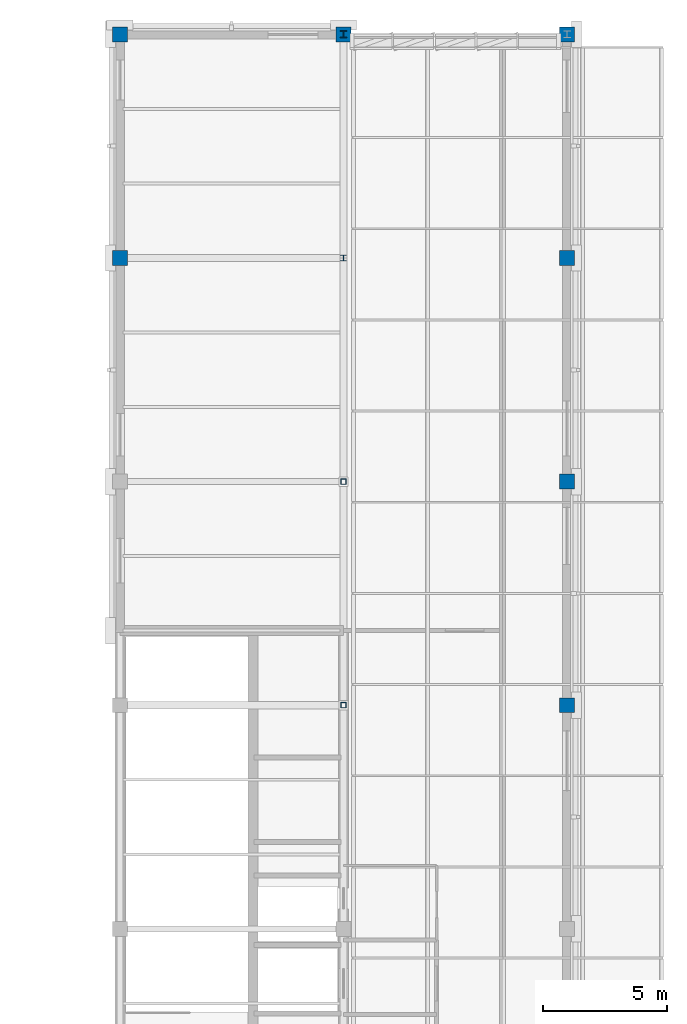
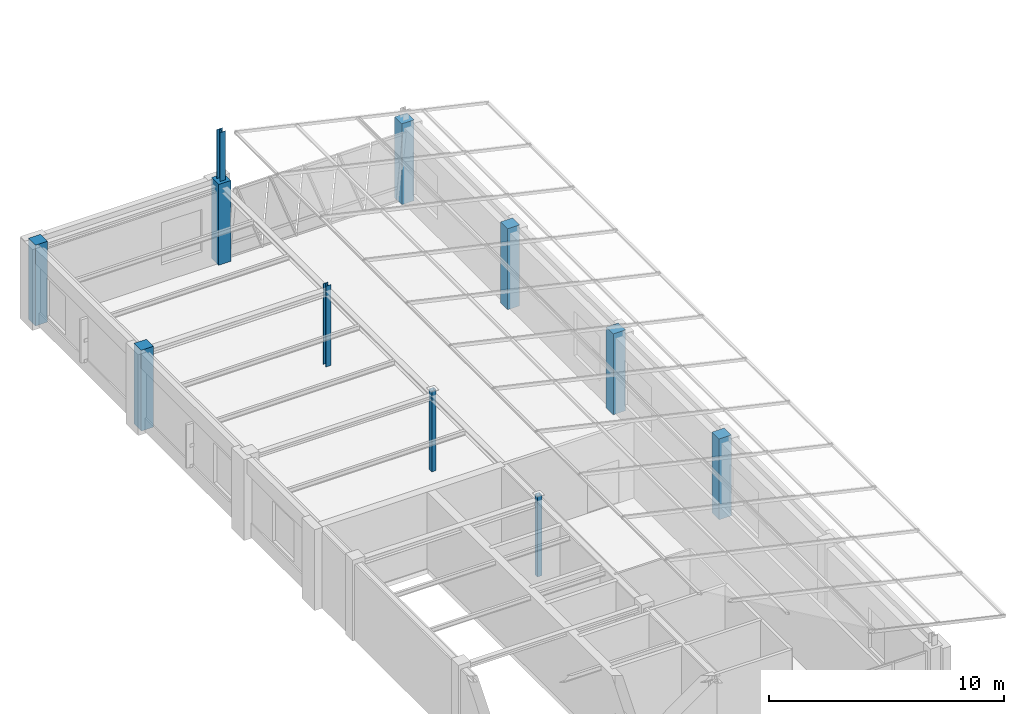
# One storey, part 7 of 97: 11 columns.
"""IFC4 building model written with IfcOpenShell, lengths in metres."""

import ifcopenshell
import ifcopenshell.guid

model = None  # the IFC model being written
_history = None  # IfcOwnerHistory: only IFC2X3 demands one
_inside = {}  # id of a spatial element -> (the spatial element, [elements in it])
_under = {}  # id of a project, library or spatial element -> (it, [spatial elements below it])
_declared = {}  # id of a project -> (the project, [libraries it declares])
_typed = {}  # id of a type object -> (the type object, [elements of that type])
_made_of = {}  # id of a material, layer set ... -> (it, [elements and type objects made of it])


def new_model(schema):
    """Start an empty IFC model of exactly this schema.

    Asked for "IFC4X3", IfcOpenShell would pick the latest addendum, in which some entities
    have other attributes; the version numbers below select the first issue.
    IFC2X3 requires an IfcOwnerHistory on every rooted entity: one is made here for all.
    """
    global model, _history
    if schema == "IFC4X3":
        model = ifcopenshell.file(schema_version=(4, 3, 0, 0))
    else:
        model = ifcopenshell.file(schema=schema)
    _inside.clear()
    _under.clear()
    _declared.clear()
    _typed.clear()
    _made_of.clear()
    _history = None
    if model.schema == "IFC2X3":
        org = make("IfcOrganization", Name="unknown")
        user = make(
            "IfcPersonAndOrganization",
            ThePerson=make("IfcPerson", FamilyName="unknown"),
            TheOrganization=org,
        )
        app = make(
            "IfcApplication",
            ApplicationDeveloper=org,
            Version="unknown",
            ApplicationFullName="unknown",
            ApplicationIdentifier="unknown",
        )
        _history = make(
            "IfcOwnerHistory",
            OwningUser=user,
            OwningApplication=app,
            ChangeAction="ADDED",
            CreationDate=0,
        )
    return model


def make(cls, **values):
    """One entity of the class cls with the attributes given. An attribute that is None is left unset."""
    return model.create_entity(
        cls, **{name: value for name, value in values.items() if value is not None}
    )


def rooted(cls, **values):
    """An entity with a GlobalId (a new one), such as an element, a storey or a relation."""
    return make(cls, GlobalId=ifcopenshell.guid.new(), OwnerHistory=_history, **values)


def si_unit(unit_type, name, prefix=None):
    """IfcSIUnit, for example si_unit("LENGTHUNIT", "METRE", prefix="MILLI")."""
    return make("IfcSIUnit", UnitType=unit_type, Prefix=prefix, Name=name)


def assignment(units):
    """IfcUnitAssignment: the units of a project."""
    return None if units is None else make("IfcUnitAssignment", Units=units)


def point(xyz):
    """IfcCartesianPoint."""
    return None if xyz is None else make("IfcCartesianPoint", Coordinates=xyz)


def direction(xyz):
    """IfcDirection."""
    return None if xyz is None else make("IfcDirection", DirectionRatios=xyz)


def frame(location, z_axis=None, x_axis=None):
    """IfcAxis2Placement3D, a coordinate frame: its origin and axes. An axis left out is left unset."""
    return make(
        "IfcAxis2Placement3D",
        Location=point(location),
        Axis=direction(z_axis),
        RefDirection=direction(x_axis),
    )


def frame_2d(location, x_axis=None):
    """IfcAxis2Placement2D, a coordinate frame in the plane: its origin and x axis."""
    return make(
        "IfcAxis2Placement2D", Location=point(location), RefDirection=direction(x_axis)
    )


def origin():
    """The frame at (0, 0, 0) with its axes left unset."""
    return frame((0.0, 0.0, 0.0))


def origin_2d():
    """The frame at (0, 0) in the plane with its x axis left unset."""
    return frame_2d((0.0, 0.0))


def place(relative_to, where):
    """IfcLocalPlacement: puts the frame where relative to a parent placement (None: the world)."""
    return make(
        "IfcLocalPlacement", PlacementRelTo=relative_to, RelativePlacement=where
    )


def context(
    kind, dimensions, precision=None, world=None, true_north=None, identifier=None
):
    """IfcGeometricRepresentationContext, for example the 3D "Model" context."""
    return make(
        "IfcGeometricRepresentationContext",
        ContextIdentifier=identifier,
        ContextType=kind,
        CoordinateSpaceDimension=dimensions,
        Precision=precision,
        WorldCoordinateSystem=world,
        TrueNorth=true_north,
    )


def subcontext(parent, identifier, kind, view, scale=None):
    """IfcGeometricRepresentationSubContext, for example "Body" below "Model"."""
    return make(
        "IfcGeometricRepresentationSubContext",
        ContextIdentifier=identifier,
        ContextType=kind,
        ParentContext=parent,
        TargetScale=scale,
        TargetView=view,
    )


def project(units=None, contexts=None):
    """IfcProject with its units and contexts."""
    return rooted(
        "IfcProject",
        Name="project",
        RepresentationContexts=contexts,
        UnitsInContext=assignment(units),
    )


def spatial(cls, under=None, at=None, **own):
    """A site, building, storey or space (cls), placed at a placement, below another one or the project."""
    s = rooted(cls, ObjectPlacement=at, **own)
    if under is not None:
        _under.setdefault(under.id(), (under, []))[1].append(s)
    return s


def profile(cls, at=None, kind="AREA", **sizes):
    """A parametric profile (cls). Its sizes go by their IFC names, for example OverallWidth=200.0."""
    return make(cls, ProfileType=kind, Position=at, **sizes)


def rectangle(**sizes):
    """IfcRectangleProfileDef."""
    return profile("IfcRectangleProfileDef", **sizes)


def hollow_rectangle(**sizes):
    """IfcRectangleHollowProfileDef."""
    return profile("IfcRectangleHollowProfileDef", **sizes)


def i_section(**sizes):
    """IfcIShapeProfileDef."""
    return profile("IfcIShapeProfileDef", **sizes)


def extrude(swept, where, along, depth):
    """IfcExtrudedAreaSolid: the profile swept, set in the frame where, extruded along a direction by depth."""
    return make(
        "IfcExtrudedAreaSolid",
        SweptArea=swept,
        Position=where,
        ExtrudedDirection=direction(along),
        Depth=depth,
    )


def shape(context_of_items, identifier, shape_type, items):
    """IfcShapeRepresentation: the items that make up one representation, for example the "Body"."""
    return make(
        "IfcShapeRepresentation",
        ContextOfItems=context_of_items,
        RepresentationIdentifier=identifier,
        RepresentationType=shape_type,
        Items=items,
    )


def material(Name=None, Category=None):
    """IfcMaterial."""
    return make("IfcMaterial", Name=Name, Category=Category)


def material_profile(
    of_material, cross_section, Name=None, Category=None, Priority=None
):
    """IfcMaterialProfile: a cross section and its material."""
    return make(
        "IfcMaterialProfile",
        Name=Name,
        Material=of_material,
        Profile=cross_section,
        Priority=Priority,
        Category=Category,
    )


def profile_set(profiles, Name=None, composite=None):
    """IfcMaterialProfileSet."""
    return make(
        "IfcMaterialProfileSet",
        Name=Name,
        MaterialProfiles=profiles,
        CompositeProfile=composite,
    )


def made_of(thing, what):
    """Note that an element or type object is made of a material, layer set ...; save() writes the relation."""
    if what is not None:
        _made_of.setdefault(what.id(), (what, []))[1].append(thing)
    return thing


def type_object(cls, material=None, **own):
    """A type object (cls), such as IfcWallType, which elements share."""
    return made_of(rooted(cls, **own), material)


def element(
    cls,
    number,
    at=None,
    inside=None,
    cuts=None,
    type_object=None,
    material=None,
    context=None,
    identifier="Body",
    shape_type=None,
    held_by="IfcProductDefinitionShape",
    body=None,
    shapes=None,
    **own,
):
    """One element of the class cls, such as IfcWall. Its Tag is "e" and its number.

    at: its placement. inside: the storey or other place that contains it. cuts: it is an
    opening in that element (IfcRelVoidsElement). A single representation is given by context,
    identifier, shape_type and body (its items); several are given by shapes. held_by: the class
    of the entity that holds the representations. save() writes the other relations.
    """
    e = rooted(cls, Tag="e%d" % number, ObjectPlacement=at, **own)
    if body is not None:
        shapes = [shape(context, identifier, shape_type, body)]
    if shapes is not None:
        e.Representation = make(held_by, Representations=shapes)
    if inside is not None:
        _inside.setdefault(inside.id(), (inside, []))[1].append(e)
    if cuts is not None:
        rooted(
            "IfcRelVoidsElement", RelatingBuildingElement=cuts, RelatedOpeningElement=e
        )
    if type_object is not None:
        _typed.setdefault(type_object.id(), (type_object, []))[1].append(e)
    return made_of(e, material)


def aggregate(whole, parts):
    """IfcRelAggregates: a whole, such as a stair, and the parts it consists of."""
    return rooted("IfcRelAggregates", RelatingObject=whole, RelatedObjects=parts)


def save(model, path):
    """Write the relations noted so far, then the file.

    IfcRelAggregates (storeys below a building ...), IfcRelContainedInSpatialStructure (elements
    in a storey), IfcRelDefinesByType, IfcRelAssociatesMaterial and IfcRelDeclares: one each for
    every whole, place, type object, material and project.
    """
    for whole, parts in _under.values():
        aggregate(whole, parts)
    for where, things in _inside.values():
        rooted(
            "IfcRelContainedInSpatialStructure",
            RelatedElements=things,
            RelatingStructure=where,
        )
    for kind, things in _typed.values():
        rooted("IfcRelDefinesByType", RelatedObjects=things, RelatingType=kind)
    for what, things in _made_of.values():
        rooted("IfcRelAssociatesMaterial", RelatedObjects=things, RelatingMaterial=what)
    for by, libraries in _declared.values():
        rooted("IfcRelDeclares", RelatingContext=by, RelatedDefinitions=libraries)
    model.write(path)


model = new_model("IFC4")

# Units and contexts
model_context = context("Model", 3, precision=1e-05, world=origin(), true_north=direction((0.0, 1.0)))
body_context = subcontext(model_context, "Body", "Model", "MODEL_VIEW")
ifc_project = project(units=[si_unit("LENGTHUNIT", "METRE"), si_unit("AREAUNIT", "SQUARE_METRE"), si_unit("VOLUMEUNIT", "CUBIC_METRE"), si_unit("PLANEANGLEUNIT", "RADIAN"), si_unit("MASSUNIT", "GRAM", prefix="KILO")], contexts=[model_context])

# Site, building, storey
site_placement = place(None, origin())
site = spatial("IfcSite", under=ifc_project, at=site_placement, CompositionType="ELEMENT")
building_placement = place(site_placement, origin())
building = spatial("IfcBuilding", under=site, at=building_placement, Name="Lykobir Media Centre", CompositionType="ELEMENT")
storey_placement = place(building_placement, frame((0.0, 0.0, 23.39990234375)))
storey = spatial("IfcBuildingStorey", under=building, at=storey_placement, Name="L05", CompositionType="ELEMENT", Elevation=23.39990234375)

# Columns
ifc_material_1 = material(Name="Concrete C40/50", Category="concrete")
ifc_material_profile_1 = material_profile(ifc_material_1, rectangle(XDim=0.60009765625, YDim=0.60009765625, at=origin_2d()), Name="RC 600x600")
ifc_profile_set_1 = profile_set([ifc_material_profile_1], Name="Concrete C40/50")
column_type_1 = type_object("IfcColumnType", Name="RC-C600", PredefinedType="COLUMN", material=ifc_profile_set_1)
for number, where, z_axis, x_axis, name in (
    (1, (27.0, 99.0, 0.0), (0.0, 0.0, 1.0), (1.0, 0.0, 0.0), "Column COL-L05-0270-0990"),
    (2, (45.0, 81.0, 0.0), (0.0, 0.0, 1.0), (1.0, 0.0, 0.0), "Column COL-L05-0450-0810"),
    (3, (45.0, 90.0, 0.0), (0.0, 0.0, 1.0), (1.0, 0.0, 0.0), "Column COL-L05-0450-0900"),
    (4, (45.0, 99.0, 0.0), (0.0, 0.0, 1.0), (1.0, 0.0, 0.0), "Column COL-L05-0450-0990"),
):
    element("IfcColumn", number, at=place(storey_placement, frame(where, z_axis=z_axis, x_axis=x_axis)), inside=storey, type_object=column_type_1, Name=name, PredefinedType="COLUMN", context=body_context, shape_type="SweptSolid", body=[
        extrude(rectangle(XDim=0.60009765625, YDim=0.60009765625, at=origin_2d()), origin(), (0.0, 0.0, 1.0), 4.2001953125),
    ])
ifc_material_profile_2 = material_profile(ifc_material_1, rectangle(XDim=0.60009765625, YDim=0.60009765625, at=origin_2d()), Name="RC 600x600")
ifc_profile_set_2 = profile_set([ifc_material_profile_2], Name="Concrete C40/50")
column_type_2 = type_object("IfcColumnType", Name="RC-C600-E", PredefinedType="COLUMN", material=ifc_profile_set_2)
for number, where, z_axis, x_axis, name in (
    (5, (27.0, 108.0, 0.0), (0.0, 0.0, 1.0), (1.0, 0.0, 0.0), "Column COL-L05-0270-1080"),
    (6, (36.0, 108.0, 0.0), (0.0, 0.0, 1.0), (1.0, 0.0, 0.0), "Column COL-L05-0360-1080"),
    (7, (45.0, 108.0, 0.0), (0.0, 0.0, 1.0), (1.0, 0.0, 0.0), "Column COL-L05-0450-1080"),
):
    element("IfcColumn", number, at=place(storey_placement, frame(where, z_axis=z_axis, x_axis=x_axis)), inside=storey, type_object=column_type_2, Name=name, PredefinedType="COLUMN", context=body_context, shape_type="SweptSolid", body=[
        extrude(rectangle(XDim=0.60009765625, YDim=0.60009765625, at=origin_2d()), origin(), (0.0, 0.0, 1.0), 4.2001953125),
    ])
ifc_material_2 = material(Name="Steel S355", Category="steel")
ifc_material_profile_3 = material_profile(ifc_material_2, i_section(OverallWidth=0.239990234375, OverallDepth=0.239990234375, WebThickness=0.010009765625, FlangeThickness=0.01708984375, at=origin_2d()), Name="HEB 240")
ifc_profile_set_3 = profile_set([ifc_material_profile_3], Name="Steel S355")
column_type_3 = type_object("IfcColumnType", Name="SC-HEB240", PredefinedType="COLUMN", material=ifc_profile_set_3)
column_1_placement = place(storey_placement, frame((36.0, 99.0, 0.0), z_axis=(0.0, 0.0, 1.0), x_axis=(1.0, 0.0, 0.0)))
element("IfcColumn", 8, at=column_1_placement, inside=storey, type_object=column_type_3, Name="Column COL-L05-0360-0990", PredefinedType="COLUMN", context=body_context, shape_type="SweptSolid", body=[
    extrude(i_section(OverallWidth=0.239990234375, OverallDepth=0.239990234375, WebThickness=0.010009765625, FlangeThickness=0.01708984375, at=origin_2d()), origin(), (0.0, 0.0, 1.0), 4.2001953125),
])
ifc_material_profile_4 = material_profile(ifc_material_2, i_section(OverallWidth=0.280029296875, OverallDepth=0.280029296875, WebThickness=0.010498046875, FlangeThickness=0.01806640625, at=origin_2d()), Name="HEB 280")
ifc_profile_set_4 = profile_set([ifc_material_profile_4], Name="Steel S355")
column_type_4 = type_object("IfcColumnType", Name="SC-HEB280-E", PredefinedType="COLUMN", material=ifc_profile_set_4)
column_2_placement = place(storey_placement, frame((36.0, 108.0, 4.2001953125), z_axis=(0.0, 0.0, 1.0), x_axis=(1.0, 0.0, 0.0)))
element("IfcColumn", 9, at=column_2_placement, inside=storey, type_object=column_type_4, Name="V6 roof portal post 36-108", PredefinedType="COLUMN", context=body_context, shape_type="SweptSolid", body=[
    extrude(i_section(OverallWidth=0.280029296875, OverallDepth=0.280029296875, WebThickness=0.010498046875, FlangeThickness=0.01806640625, at=origin_2d()), origin(), (0.0, 0.0, 1.0), 2.539794921875),
])
ifc_material_profile_5 = material_profile(ifc_material_2, hollow_rectangle(XDim=0.219970703125, YDim=0.219970703125, WallThickness=0.012451171875, at=origin_2d()), Name="SHS 220x220x12.5")
ifc_profile_set_5 = profile_set([ifc_material_profile_5], Name="Steel S355")
column_type_5 = type_object("IfcColumnType", Name="SC-SHS220", PredefinedType="COLUMN", material=ifc_profile_set_5)
for number, where, z_axis, x_axis, name in (
    (10, (36.0, 81.0, 0.0), (0.0, 0.0, 1.0), (1.0, 0.0, 0.0), "Column COL-L05-0360-0810"),
    (11, (36.0, 90.0, 0.0), (0.0, 0.0, 1.0), (1.0, 0.0, 0.0), "Column COL-L05-0360-0900"),
):
    element("IfcColumn", number, at=place(storey_placement, frame(where, z_axis=z_axis, x_axis=x_axis)), inside=storey, type_object=column_type_5, Name=name, PredefinedType="COLUMN", context=body_context, shape_type="SweptSolid", body=[
        extrude(hollow_rectangle(XDim=0.219970703125, YDim=0.219970703125, WallThickness=0.012451171875, at=origin_2d()), origin(), (0.0, 0.0, 1.0), 4.2001953125),
    ])

save(model, "model.ifc")
